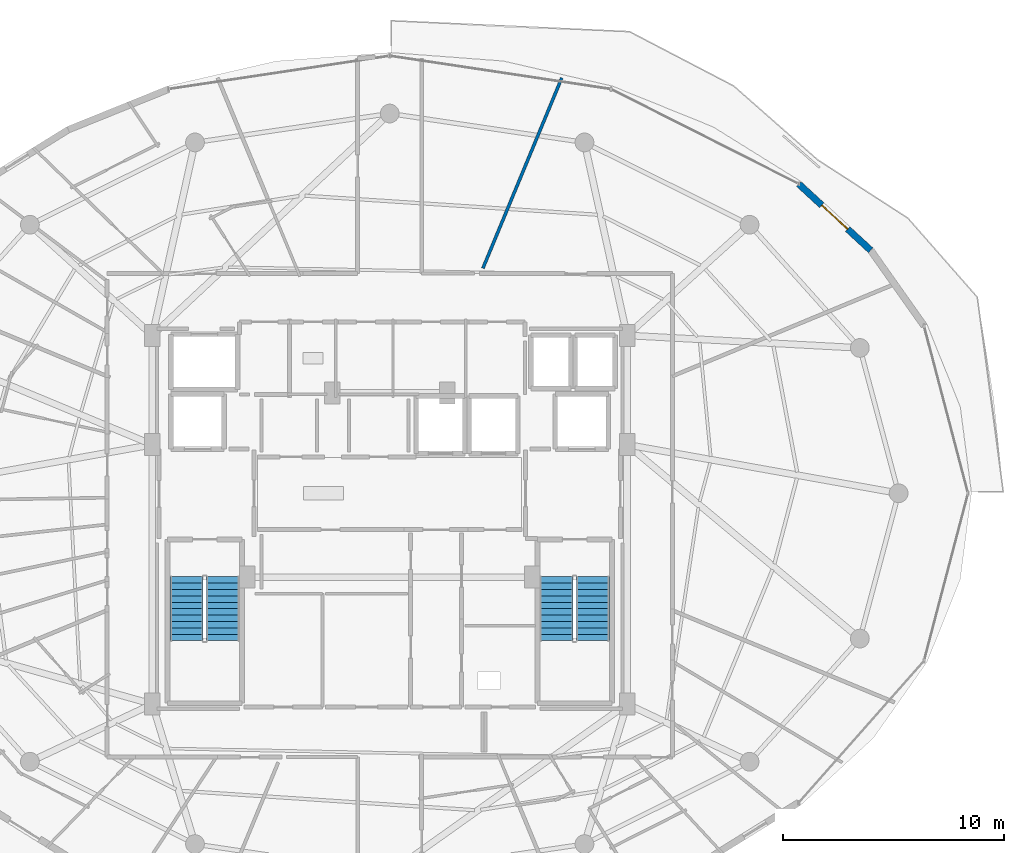
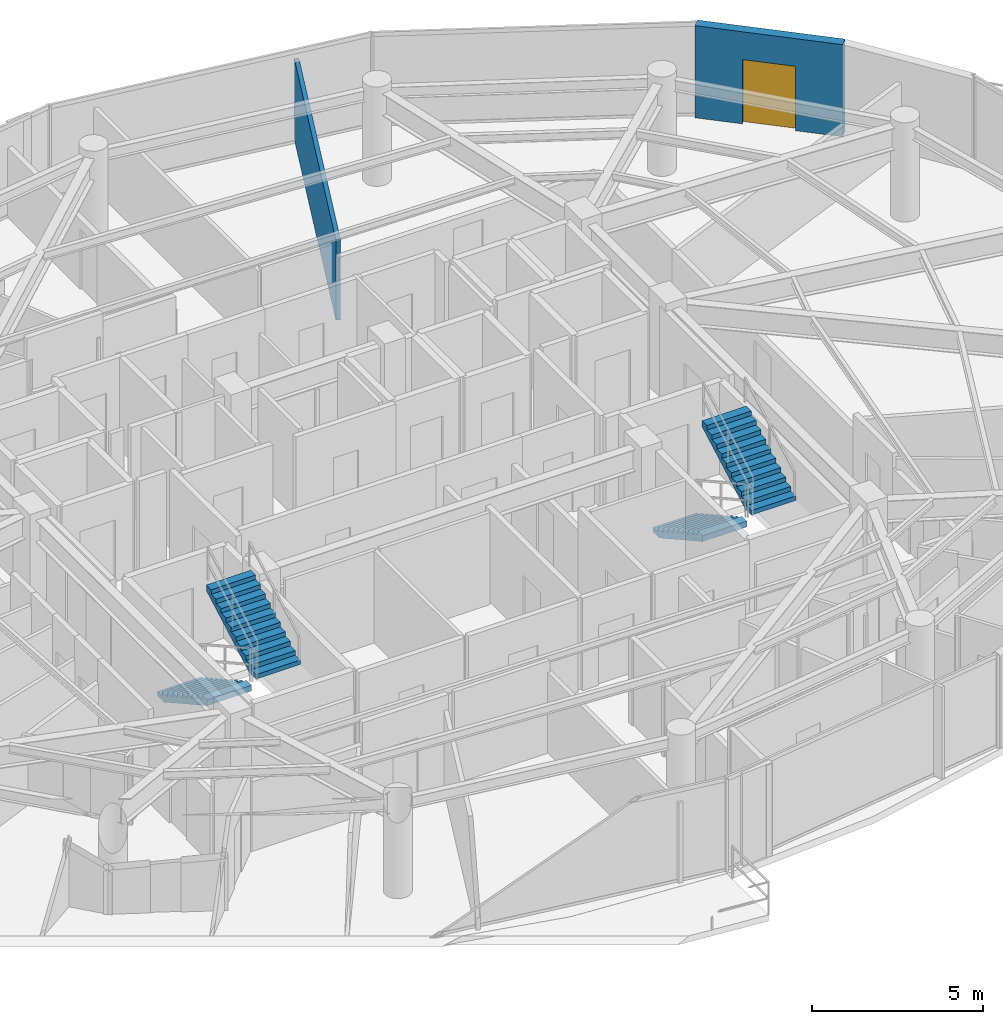
# One storey, part 28 of 31: 4 stair flights, 2 walls, 1 door, 1 opening, 2 elements without a shape of their own.
"""IFC4 building model written with IfcOpenShell, lengths in metres."""

from ifc_helpers import new_model, si_unit, direction, frame, frame_2d, origin, place, context, subcontext, project, spatial, polyline, rectangle, outline, extrude, material, layer, layer_set, type_object, element, fill, aggregate, save


model = new_model("IFC4")

# Units and contexts
model_context = context("Model", 3, precision=1e-05, world=origin(), true_north=direction((0.0, 1.0)))
body_context = subcontext(model_context, "Body", "Model", "MODEL_VIEW")
ifc_project = project(units=[si_unit("LENGTHUNIT", "METRE"), si_unit("AREAUNIT", "SQUARE_METRE"), si_unit("VOLUMEUNIT", "CUBIC_METRE"), si_unit("PLANEANGLEUNIT", "RADIAN"), si_unit("MASSUNIT", "GRAM", prefix="KILO")], contexts=[model_context])

# Site, building, storey
site_placement = place(None, origin())
site = spatial("IfcSite", under=ifc_project, at=site_placement, CompositionType="ELEMENT")
building_placement = place(site_placement, origin())
building = spatial("IfcBuilding", under=site, at=building_placement, Name="Vorneva Point Tower", CompositionType="ELEMENT")
storey_placement = place(building_placement, frame((0.0, 0.0, 248.449951171875)))
storey = spatial("IfcBuildingStorey", under=building, at=storey_placement, Name="L67", CompositionType="ELEMENT", Elevation=248.449951171875)

# Wall, opening, door
ifc_material_1 = material(Name="Precast concrete B50 (C40/50)", Category="concrete")
ifc_layer_1 = layer(ifc_material_1, 0.300048828125)
ifc_layer_set_1 = layer_set([ifc_layer_1], Name="Precast concrete B50 (C40/50)")
wall_type_1 = type_object("IfcWallType", Name="WL-EXT-300", PredefinedType="STANDARD", material=ifc_layer_set_1)
wall_1_placement = place(storey_placement, frame((59.784423828125, 37.005859375, 0.0), z_axis=(0.0, 0.0, 1.0), x_axis=(-0.735445373611, 0.677584018727, 0.0)))
wall_1 = element("IfcWall", 1, at=wall_1_placement, inside=storey, type_object=wall_type_1, Name="L67 Pale-Metal Facade Spandrel Wall 02.2", PredefinedType="STANDARD", context=body_context, shape_type="SweptSolid", body=[
    extrude(rectangle(XDim=4.430419921875, YDim=0.300048828125, at=frame_2d((2.21533203125, 0.0))), origin(), (0.0, 0.0, 1.0), 3.2900390625),
])
opening_placement = place(wall_1_placement, frame((1.415283203125, 0.0, 0.0)))
opening = element("IfcOpeningElement", 2, at=opening_placement, cuts=wall_1, Name="Opening BD-01", PredefinedType="OPENING", context=body_context, shape_type="SweptSolid", body=[
    extrude(rectangle(XDim=1.60009765625, YDim=2.300048828125, at=frame_2d((0.800048828125, 1.14990234375))), frame((0.0, 0.1650390625, 0.0), z_axis=(0.0, -1.0, 0.0), x_axis=(1.0, 0.0, 0.0)), (0.0, 0.0, 1.0), 0.329833984375),
])
ifc_material_2 = material(Name="Pale anodised aluminium", Category="aluminium")
door_type = type_object("IfcDoorType", Name="DR-BAL-1600", OperationType="SLIDING_TO_LEFT", PredefinedType="DOOR", material=ifc_material_2)
door_placement = place(opening_placement, origin())
door = element("IfcDoor", 3, at=door_placement, inside=storey, type_object=door_type, Name="L67 Balcony Terrace Access Door 02", OperationType="SLIDING_TO_LEFT", OverallHeight=2.300048828125, OverallWidth=1.60009765625, PredefinedType="DOOR", context=body_context, shape_type="SweptSolid", body=[
    extrude(rectangle(XDim=1.60009765625, YDim=2.300048828125, at=frame_2d((0.800048828125, 1.14990234375))), frame((0.0, 0.02490234375, 0.0), z_axis=(0.0, -1.0, 0.0), x_axis=(1.0, 0.0, 0.0)), (0.0, 0.0, 1.0), 0.050048828125),
])
fill(opening, door)

# Wall
ifc_material_3 = material(Name="Fire-rated acoustic gypsum stud partition", Category="gypsum")
ifc_layer_2 = layer(ifc_material_3, 0.139892578125)
ifc_layer_set_2 = layer_set([ifc_layer_2], Name="Fire-rated acoustic gypsum stud partition")
wall_type_2 = type_object("IfcWallType", Name="WL-PART-140", PredefinedType="PARTITIONING", material=ifc_layer_set_2)
wall_2_placement = place(storey_placement, frame((45.79296875, 44.81298828125, 0.0), z_axis=(0.0, 0.0, 1.0), x_axis=(-0.382742241568, -0.923855170749, 0.0)))
element("IfcWall", 4, at=wall_2_placement, inside=storey, type_object=wall_type_2, Name="L67 Interior Closure Partition 153", PredefinedType="PARTITIONING", context=body_context, shape_type="SweptSolid", body=[
    extrude(rectangle(XDim=9.332763671875, YDim=0.139892578125, at=frame_2d((4.66650390625, 0.0))), origin(), (0.0, 0.0, 1.0), 2.8740234375),
])

# Stair, stair flights
ifc_material_4 = material(Name="Concrete B50 (C40/50)", Category="concrete")
stair_type = type_object("IfcStairType", Name="ST-DOG-1500", PredefinedType="HALF_TURN_STAIR", material=ifc_material_4)
stair_1_placement = place(storey_placement, origin())
stair_1 = element("IfcStair", 5, at=stair_1_placement, inside=storey, type_object=stair_type, Name="L67 ST1", PredefinedType="HALF_TURN_STAIR")
stair_flight_type = type_object("IfcStairFlightType", Name="STF-1500", PredefinedType="STRAIGHT", material=ifc_material_4)
stair_flight_1_placement = place(storey_placement, frame((28.800048828125, 22.219970703125, 0.0), z_axis=(0.0, 0.0, 1.0), x_axis=(0.0, -1.0, 0.0)))
stair_flight_1 = element("IfcStairFlight", 6, at=stair_flight_1_placement, type_object=stair_flight_type, Name="ST1 flight 1", NumberOfRisers=11, NumberOfTreads=10, PredefinedType="STRAIGHT", RiserHeight=0.161363636, TreadLength=0.29, context=body_context, shape_type="SweptSolid", body=[
    extrude(outline(polyline([(0.0, 0.0), (0.0, 0.161376953125), (0.2900390625, 0.161376953125), (0.2900390625, 0.32275390625), (0.580078125, 0.32275390625), (0.580078125, 0.484130859375), (0.8701171875, 0.484130859375), (0.8701171875, 0.6455078125), (1.159912109375, 0.6455078125), (1.159912109375, 0.806884765625), (1.449951171875, 0.806884765625), (1.449951171875, 0.96826171875), (1.739990234375, 0.96826171875), (1.739990234375, 1.129638671875), (2.030029296875, 1.129638671875), (2.030029296875, 1.291015625), (2.320068359375, 1.291015625), (2.320068359375, 1.452392578125), (2.610107421875, 1.452392578125), (2.610107421875, 1.613525390625), (2.89990234375, 1.613525390625), (2.89990234375, 1.77490234375), (2.89990234375, 1.40771484375), (0.3701171875, 0.0), (0.0, 0.0)])), frame((0.0, 0.75, 0.0), z_axis=(0.0, -1.0, 0.0), x_axis=(1.0, 0.0, 0.0)), (0.0, 0.0, 1.0), 1.5),
])
stair_flight_2_placement = place(storey_placement, frame((30.449951171875, 19.320068359375, 1.775146484375), z_axis=(0.0, 0.0, 1.0), x_axis=(0.0, 1.0, 0.0)))
stair_flight_2 = element("IfcStairFlight", 7, at=stair_flight_2_placement, type_object=stair_flight_type, Name="ST1 flight 2", NumberOfRisers=11, NumberOfTreads=10, PredefinedType="STRAIGHT", RiserHeight=0.161363636, TreadLength=0.29, context=body_context, shape_type="SweptSolid", body=[
    extrude(outline(polyline([(0.0, 0.0), (0.0, 0.161376953125), (0.2900390625, 0.161376953125), (0.2900390625, 0.32275390625), (0.580078125, 0.32275390625), (0.580078125, 0.484130859375), (0.8701171875, 0.484130859375), (0.8701171875, 0.6455078125), (1.159912109375, 0.6455078125), (1.159912109375, 0.806884765625), (1.449951171875, 0.806884765625), (1.449951171875, 0.96826171875), (1.739990234375, 0.96826171875), (1.739990234375, 1.129638671875), (2.030029296875, 1.129638671875), (2.030029296875, 1.291015625), (2.320068359375, 1.291015625), (2.320068359375, 1.452392578125), (2.610107421875, 1.452392578125), (2.610107421875, 1.613525390625), (2.89990234375, 1.613525390625), (2.89990234375, 1.77490234375), (2.89990234375, 1.40771484375), (0.3701171875, 0.0), (0.0, 0.0)])), frame((0.0, 0.75, 0.0), z_axis=(0.0, -1.0, 0.0), x_axis=(1.0, 0.0, 0.0)), (0.0, 0.0, 1.0), 1.5),
])
aggregate(stair_1, [stair_flight_1, stair_flight_2])

stair_2_placement = place(storey_placement, origin())
stair_2 = element("IfcStair", 8, at=stair_2_placement, inside=storey, type_object=stair_type, Name="L67 ST2", PredefinedType="HALF_TURN_STAIR")
stair_flight_3_placement = place(storey_placement, frame((45.550048828125, 22.219970703125, 0.0), z_axis=(0.0, 0.0, 1.0), x_axis=(0.0, -1.0, 0.0)))
stair_flight_3 = element("IfcStairFlight", 9, at=stair_flight_3_placement, type_object=stair_flight_type, Name="ST2 flight 1", NumberOfRisers=11, NumberOfTreads=10, PredefinedType="STRAIGHT", RiserHeight=0.161363636, TreadLength=0.29, context=body_context, shape_type="SweptSolid", body=[
    extrude(outline(polyline([(0.0, 0.0), (0.0, 0.161376953125), (0.2900390625, 0.161376953125), (0.2900390625, 0.32275390625), (0.580078125, 0.32275390625), (0.580078125, 0.484130859375), (0.8701171875, 0.484130859375), (0.8701171875, 0.6455078125), (1.159912109375, 0.6455078125), (1.159912109375, 0.806884765625), (1.449951171875, 0.806884765625), (1.449951171875, 0.96826171875), (1.739990234375, 0.96826171875), (1.739990234375, 1.129638671875), (2.030029296875, 1.129638671875), (2.030029296875, 1.291015625), (2.320068359375, 1.291015625), (2.320068359375, 1.452392578125), (2.610107421875, 1.452392578125), (2.610107421875, 1.613525390625), (2.89990234375, 1.613525390625), (2.89990234375, 1.77490234375), (2.89990234375, 1.40771484375), (0.3701171875, 0.0), (0.0, 0.0)])), frame((0.0, 0.75, 0.0), z_axis=(0.0, -1.0, 0.0), x_axis=(1.0, 0.0, 0.0)), (0.0, 0.0, 1.0), 1.5),
])
stair_flight_4_placement = place(storey_placement, frame((47.199951171875, 19.320068359375, 1.775146484375), z_axis=(0.0, 0.0, 1.0), x_axis=(0.0, 1.0, 0.0)))
stair_flight_4 = element("IfcStairFlight", 10, at=stair_flight_4_placement, type_object=stair_flight_type, Name="ST2 flight 2", NumberOfRisers=11, NumberOfTreads=10, PredefinedType="STRAIGHT", RiserHeight=0.161363636, TreadLength=0.29, context=body_context, shape_type="SweptSolid", body=[
    extrude(outline(polyline([(0.0, 0.0), (0.0, 0.161376953125), (0.2900390625, 0.161376953125), (0.2900390625, 0.32275390625), (0.580078125, 0.32275390625), (0.580078125, 0.484130859375), (0.8701171875, 0.484130859375), (0.8701171875, 0.6455078125), (1.159912109375, 0.6455078125), (1.159912109375, 0.806884765625), (1.449951171875, 0.806884765625), (1.449951171875, 0.96826171875), (1.739990234375, 0.96826171875), (1.739990234375, 1.129638671875), (2.030029296875, 1.129638671875), (2.030029296875, 1.291015625), (2.320068359375, 1.291015625), (2.320068359375, 1.452392578125), (2.610107421875, 1.452392578125), (2.610107421875, 1.613525390625), (2.89990234375, 1.613525390625), (2.89990234375, 1.77490234375), (2.89990234375, 1.40771484375), (0.3701171875, 0.0), (0.0, 0.0)])), frame((0.0, 0.75, 0.0), z_axis=(0.0, -1.0, 0.0), x_axis=(1.0, 0.0, 0.0)), (0.0, 0.0, 1.0), 1.5),
])
aggregate(stair_2, [stair_flight_3, stair_flight_4])

save(model, "model.ifc")
